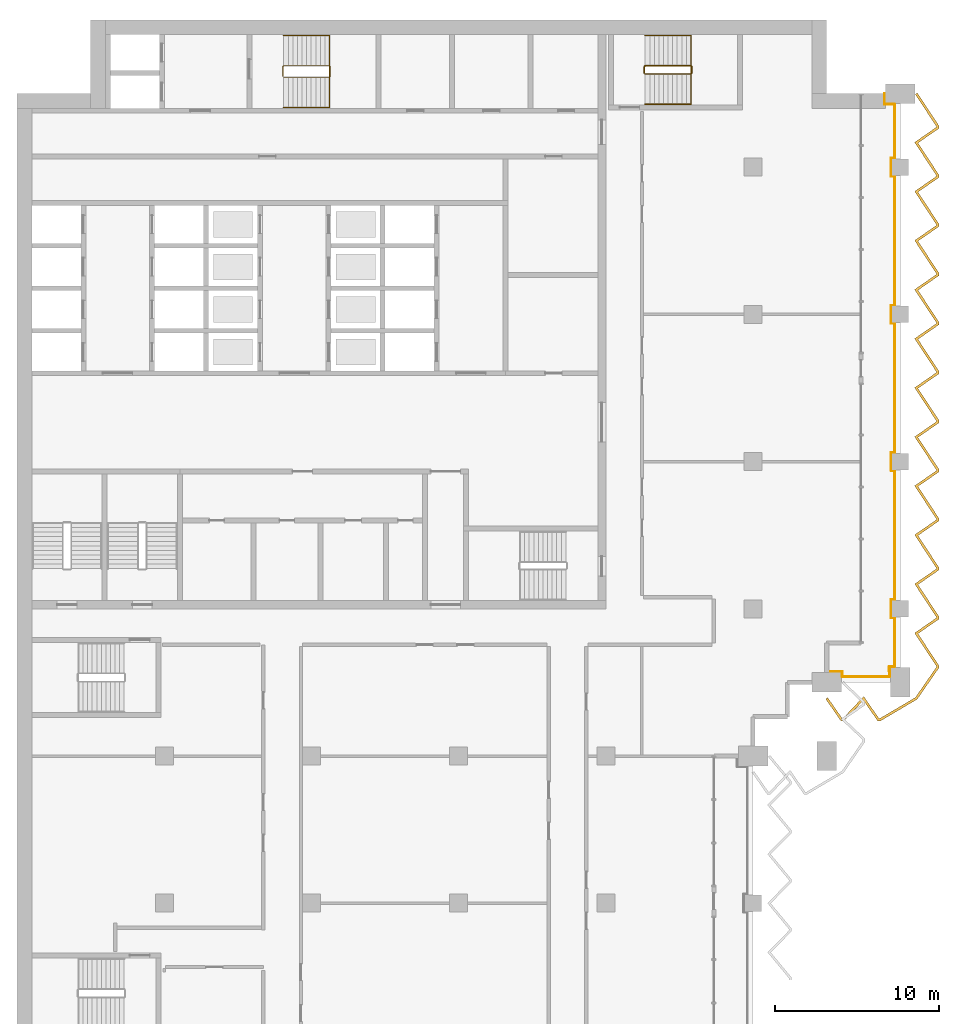
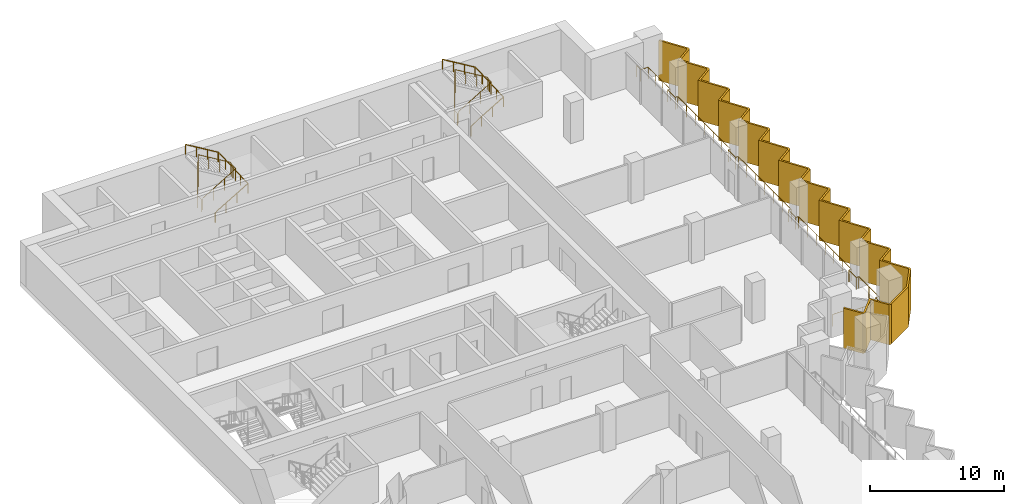
# One storey, part 17 of 18: 5 railings, 1 shading device.
"""IFC4 building model written with IfcOpenShell, lengths in metres."""

import ifcopenshell
import ifcopenshell.guid

model = None  # the IFC model being written
_history = None  # IfcOwnerHistory: only IFC2X3 demands one
_inside = {}  # id of a spatial element -> (the spatial element, [elements in it])
_under = {}  # id of a project, library or spatial element -> (it, [spatial elements below it])
_declared = {}  # id of a project -> (the project, [libraries it declares])
_typed = {}  # id of a type object -> (the type object, [elements of that type])
_made_of = {}  # id of a material, layer set ... -> (it, [elements and type objects made of it])


def new_model(schema):
    """Start an empty IFC model of exactly this schema.

    Asked for "IFC4X3", IfcOpenShell would pick the latest addendum, in which some entities
    have other attributes; the version numbers below select the first issue.
    IFC2X3 requires an IfcOwnerHistory on every rooted entity: one is made here for all.
    """
    global model, _history
    if schema == "IFC4X3":
        model = ifcopenshell.file(schema_version=(4, 3, 0, 0))
    else:
        model = ifcopenshell.file(schema=schema)
    _inside.clear()
    _under.clear()
    _declared.clear()
    _typed.clear()
    _made_of.clear()
    _history = None
    if model.schema == "IFC2X3":
        org = make("IfcOrganization", Name="unknown")
        user = make(
            "IfcPersonAndOrganization",
            ThePerson=make("IfcPerson", FamilyName="unknown"),
            TheOrganization=org,
        )
        app = make(
            "IfcApplication",
            ApplicationDeveloper=org,
            Version="unknown",
            ApplicationFullName="unknown",
            ApplicationIdentifier="unknown",
        )
        _history = make(
            "IfcOwnerHistory",
            OwningUser=user,
            OwningApplication=app,
            ChangeAction="ADDED",
            CreationDate=0,
        )
    return model


def make(cls, **values):
    """One entity of the class cls with the attributes given. An attribute that is None is left unset."""
    return model.create_entity(
        cls, **{name: value for name, value in values.items() if value is not None}
    )


def rooted(cls, **values):
    """An entity with a GlobalId (a new one), such as an element, a storey or a relation."""
    return make(cls, GlobalId=ifcopenshell.guid.new(), OwnerHistory=_history, **values)


def si_unit(unit_type, name, prefix=None):
    """IfcSIUnit, for example si_unit("LENGTHUNIT", "METRE", prefix="MILLI")."""
    return make("IfcSIUnit", UnitType=unit_type, Prefix=prefix, Name=name)


def assignment(units):
    """IfcUnitAssignment: the units of a project."""
    return None if units is None else make("IfcUnitAssignment", Units=units)


def point(xyz):
    """IfcCartesianPoint."""
    return None if xyz is None else make("IfcCartesianPoint", Coordinates=xyz)


def direction(xyz):
    """IfcDirection."""
    return None if xyz is None else make("IfcDirection", DirectionRatios=xyz)


def frame(location, z_axis=None, x_axis=None):
    """IfcAxis2Placement3D, a coordinate frame: its origin and axes. An axis left out is left unset."""
    return make(
        "IfcAxis2Placement3D",
        Location=point(location),
        Axis=direction(z_axis),
        RefDirection=direction(x_axis),
    )


def frame_2d(location, x_axis=None):
    """IfcAxis2Placement2D, a coordinate frame in the plane: its origin and x axis."""
    return make(
        "IfcAxis2Placement2D", Location=point(location), RefDirection=direction(x_axis)
    )


def origin():
    """The frame at (0, 0, 0) with its axes left unset."""
    return frame((0.0, 0.0, 0.0))


def origin_2d():
    """The frame at (0, 0) in the plane with its x axis left unset."""
    return frame_2d((0.0, 0.0))


def place(relative_to, where):
    """IfcLocalPlacement: puts the frame where relative to a parent placement (None: the world)."""
    return make(
        "IfcLocalPlacement", PlacementRelTo=relative_to, RelativePlacement=where
    )


def context(
    kind, dimensions, precision=None, world=None, true_north=None, identifier=None
):
    """IfcGeometricRepresentationContext, for example the 3D "Model" context."""
    return make(
        "IfcGeometricRepresentationContext",
        ContextIdentifier=identifier,
        ContextType=kind,
        CoordinateSpaceDimension=dimensions,
        Precision=precision,
        WorldCoordinateSystem=world,
        TrueNorth=true_north,
    )


def subcontext(parent, identifier, kind, view, scale=None):
    """IfcGeometricRepresentationSubContext, for example "Body" below "Model"."""
    return make(
        "IfcGeometricRepresentationSubContext",
        ContextIdentifier=identifier,
        ContextType=kind,
        ParentContext=parent,
        TargetScale=scale,
        TargetView=view,
    )


def project(units=None, contexts=None):
    """IfcProject with its units and contexts."""
    return rooted(
        "IfcProject",
        Name="project",
        RepresentationContexts=contexts,
        UnitsInContext=assignment(units),
    )


def spatial(cls, under=None, at=None, **own):
    """A site, building, storey or space (cls), placed at a placement, below another one or the project."""
    s = rooted(cls, ObjectPlacement=at, **own)
    if under is not None:
        _under.setdefault(under.id(), (under, []))[1].append(s)
    return s


def polyline(points):
    """IfcPolyline through the points."""
    return make("IfcPolyline", Points=[point(p) for p in points])


def profile(cls, at=None, kind="AREA", **sizes):
    """A parametric profile (cls). Its sizes go by their IFC names, for example OverallWidth=200.0."""
    return make(cls, ProfileType=kind, Position=at, **sizes)


def circle(**sizes):
    """IfcCircleProfileDef."""
    return profile("IfcCircleProfileDef", **sizes)


def outline(outer, holes=None, kind="AREA"):
    """IfcArbitraryClosedProfileDef: a profile drawn as a closed curve; with holes, ...WithVoids."""
    if holes is None:
        return make("IfcArbitraryClosedProfileDef", ProfileType=kind, OuterCurve=outer)
    return make(
        "IfcArbitraryProfileDefWithVoids",
        ProfileType=kind,
        OuterCurve=outer,
        InnerCurves=holes,
    )


def extrude(swept, where, along, depth):
    """IfcExtrudedAreaSolid: the profile swept, set in the frame where, extruded along a direction by depth."""
    return make(
        "IfcExtrudedAreaSolid",
        SweptArea=swept,
        Position=where,
        ExtrudedDirection=direction(along),
        Depth=depth,
    )


def shape(context_of_items, identifier, shape_type, items):
    """IfcShapeRepresentation: the items that make up one representation, for example the "Body"."""
    return make(
        "IfcShapeRepresentation",
        ContextOfItems=context_of_items,
        RepresentationIdentifier=identifier,
        RepresentationType=shape_type,
        Items=items,
    )


def material(Name=None, Category=None):
    """IfcMaterial."""
    return make("IfcMaterial", Name=Name, Category=Category)


def layer(
    of_material, thickness, ventilated=None, Name=None, Category=None, Priority=None
):
    """IfcMaterialLayer: one layer of a wall or slab, of a material (None: an air gap)."""
    return make(
        "IfcMaterialLayer",
        Material=of_material,
        LayerThickness=thickness,
        IsVentilated=ventilated,
        Name=Name,
        Category=Category,
        Priority=Priority,
    )


def layer_set(layers, Name=None):
    """IfcMaterialLayerSet."""
    return make("IfcMaterialLayerSet", MaterialLayers=layers, LayerSetName=Name)


def made_of(thing, what):
    """Note that an element or type object is made of a material, layer set ...; save() writes the relation."""
    if what is not None:
        _made_of.setdefault(what.id(), (what, []))[1].append(thing)
    return thing


def type_object(cls, material=None, **own):
    """A type object (cls), such as IfcWallType, which elements share."""
    return made_of(rooted(cls, **own), material)


def element(
    cls,
    number,
    at=None,
    inside=None,
    cuts=None,
    type_object=None,
    material=None,
    context=None,
    identifier="Body",
    shape_type=None,
    held_by="IfcProductDefinitionShape",
    body=None,
    shapes=None,
    **own,
):
    """One element of the class cls, such as IfcWall. Its Tag is "e" and its number.

    at: its placement. inside: the storey or other place that contains it. cuts: it is an
    opening in that element (IfcRelVoidsElement). A single representation is given by context,
    identifier, shape_type and body (its items); several are given by shapes. held_by: the class
    of the entity that holds the representations. save() writes the other relations.
    """
    e = rooted(cls, Tag="e%d" % number, ObjectPlacement=at, **own)
    if body is not None:
        shapes = [shape(context, identifier, shape_type, body)]
    if shapes is not None:
        e.Representation = make(held_by, Representations=shapes)
    if inside is not None:
        _inside.setdefault(inside.id(), (inside, []))[1].append(e)
    if cuts is not None:
        rooted(
            "IfcRelVoidsElement", RelatingBuildingElement=cuts, RelatedOpeningElement=e
        )
    if type_object is not None:
        _typed.setdefault(type_object.id(), (type_object, []))[1].append(e)
    return made_of(e, material)


def aggregate(whole, parts):
    """IfcRelAggregates: a whole, such as a stair, and the parts it consists of."""
    return rooted("IfcRelAggregates", RelatingObject=whole, RelatedObjects=parts)


def save(model, path):
    """Write the relations noted so far, then the file.

    IfcRelAggregates (storeys below a building ...), IfcRelContainedInSpatialStructure (elements
    in a storey), IfcRelDefinesByType, IfcRelAssociatesMaterial and IfcRelDeclares: one each for
    every whole, place, type object, material and project.
    """
    for whole, parts in _under.values():
        aggregate(whole, parts)
    for where, things in _inside.values():
        rooted(
            "IfcRelContainedInSpatialStructure",
            RelatedElements=things,
            RelatingStructure=where,
        )
    for kind, things in _typed.values():
        rooted("IfcRelDefinesByType", RelatedObjects=things, RelatingType=kind)
    for what, things in _made_of.values():
        rooted("IfcRelAssociatesMaterial", RelatedObjects=things, RelatingMaterial=what)
    for by, libraries in _declared.values():
        rooted("IfcRelDeclares", RelatingContext=by, RelatedDefinitions=libraries)
    model.write(path)


model = new_model("IFC4")

# Units and contexts
model_context = context("Model", 3, precision=1e-05, world=origin(), true_north=direction((0.0, 1.0)))
body_context = subcontext(model_context, "Body", "Model", "MODEL_VIEW")
ifc_project = project(units=[si_unit("LENGTHUNIT", "METRE"), si_unit("AREAUNIT", "SQUARE_METRE"), si_unit("VOLUMEUNIT", "CUBIC_METRE"), si_unit("PLANEANGLEUNIT", "RADIAN"), si_unit("MASSUNIT", "GRAM", prefix="KILO")], contexts=[model_context])

# Site, building, storey
site_placement = place(None, origin())
site = spatial("IfcSite", under=ifc_project, at=site_placement, CompositionType="ELEMENT")
building_placement = place(site_placement, origin())
building = spatial("IfcBuilding", under=site, at=building_placement, Name="Hunhe Ridgeline Campus", CompositionType="ELEMENT")
storey_placement = place(building_placement, frame((0.0, 0.0, 182.800048828125)))
storey = spatial("IfcBuildingStorey", under=building, at=storey_placement, Name="L46", CompositionType="ELEMENT", Elevation=182.800048828125)

# Railing
ifc_material_1 = material(Name="Steel Q355", Category="steel")
railing_type_1 = type_object("IfcRailingType", Name="Loggia guard 1100 Steel Q355", PredefinedType="GUARDRAIL", material=ifc_material_1)
railing_1_placement = place(storey_placement, frame((49.5, 59.169921875, 0.0)))
element("IfcRailing", 1, at=railing_1_placement, inside=storey, type_object=railing_type_1, Name="Loggia guard 2", PredefinedType="GUARDRAIL", context=body_context, shape_type="SweptSolid", body=[
    extrude(circle(Radius=0.02392578125, at=origin_2d()), frame((0.0, 0.0, 1.076171875), z_axis=(1.0, 0.0, 0.0), x_axis=(0.0, 1.0, 0.0)), (0.0, 0.0, 1.0), 0.949951171875),
    extrude(circle(Radius=0.02392578125, at=origin_2d()), frame((0.949951171875, 0.0, 1.076171875), z_axis=(0.0, -1.0, 0.0), x_axis=(1.0, 0.0, 0.0)), (0.0, 0.0, 1.0), 0.31982421875),
    extrude(circle(Radius=0.02392578125, at=origin_2d()), frame((0.949951171875, -0.31982421875, 1.076171875), z_axis=(1.0, 0.0, 0.0), x_axis=(0.0, 1.0, 0.0)), (0.0, 0.0, 1.0), 2.900146484375),
    extrude(circle(Radius=0.02392578125, at=origin_2d()), frame((3.85009765625, -0.31982421875, 1.076171875), z_axis=(0.0, 1.0, 0.0), x_axis=(-1.0, 0.0, 0.0)), (0.0, 0.0, 1.0), 0.619873046875),
    extrude(circle(Radius=0.02392578125, at=origin_2d()), frame((3.85009765625, 0.300048828125, 1.076171875), z_axis=(-0.066572895244, -0.99778156408, 0.0), x_axis=(0.99778156408, -0.066572895244, 0.0)), (0.0, 0.0, 1.0), 0.30078125),
    extrude(circle(Radius=0.02392578125, at=origin_2d()), frame((3.830078125, 0.0, 1.076171875), z_axis=(0.0, 1.0, 0.0), x_axis=(-1.0, 0.0, 0.0)), (0.0, 0.0, 1.0), 0.280029296875),
    extrude(circle(Radius=0.02392578125, at=origin_2d()), frame((3.830078125, 0.280029296875, 1.076171875), z_axis=(1.0, 0.0, 0.0), x_axis=(0.0, 1.0, 0.0)), (0.0, 0.0, 1.0), 0.31982421875),
    extrude(circle(Radius=0.02392578125, at=origin_2d()), frame((4.14990234375, 0.280029296875, 1.076171875), z_axis=(0.0, 1.0, 0.0), x_axis=(-1.0, 0.0, 0.0)), (0.0, 0.0, 1.0), 3.0),
    extrude(circle(Radius=0.02392578125, at=origin_2d()), frame((4.14990234375, 3.280029296875, 1.076171875), z_axis=(-1.0, 0.0, 0.0), x_axis=(0.0, -1.0, 0.0)), (0.0, 0.0, 1.0), 0.219970703125),
    extrude(circle(Radius=0.02392578125, at=origin_2d()), frame((3.929931640625, 3.280029296875, 1.076171875), z_axis=(0.0, 1.0, 0.0), x_axis=(-1.0, 0.0, 0.0)), (0.0, 0.0, 1.0), 1.10009765625),
    extrude(circle(Radius=0.02392578125, at=origin_2d()), frame((3.929931640625, 4.380126953125, 1.076171875), z_axis=(1.0, 0.0, 0.0), x_axis=(0.0, 1.0, 0.0)), (0.0, 0.0, 1.0), 0.219970703125),
    extrude(circle(Radius=0.02392578125, at=origin_2d()), frame((4.14990234375, 4.380126953125, 1.076171875), z_axis=(0.0, 1.0, 0.0), x_axis=(-1.0, 0.0, 0.0)), (0.0, 0.0, 1.0), 7.89990234375),
    extrude(circle(Radius=0.02392578125, at=origin_2d()), frame((4.14990234375, 12.280029296875, 1.076171875), z_axis=(-1.0, 0.0, 0.0), x_axis=(0.0, -1.0, 0.0)), (0.0, 0.0, 1.0), 0.219970703125),
    extrude(circle(Radius=0.02392578125, at=origin_2d()), frame((3.929931640625, 12.280029296875, 1.076171875), z_axis=(0.0, 1.0, 0.0), x_axis=(-1.0, 0.0, 0.0)), (0.0, 0.0, 1.0), 1.10009765625),
    extrude(circle(Radius=0.02392578125, at=origin_2d()), frame((3.929931640625, 13.380126953125, 1.076171875), z_axis=(1.0, 0.0, 0.0), x_axis=(0.0, 1.0, 0.0)), (0.0, 0.0, 1.0), 0.219970703125),
    extrude(circle(Radius=0.02392578125, at=origin_2d()), frame((4.14990234375, 13.380126953125, 1.076171875), z_axis=(0.0, 1.0, 0.0), x_axis=(-1.0, 0.0, 0.0)), (0.0, 0.0, 1.0), 7.89990234375),
    extrude(circle(Radius=0.02392578125, at=origin_2d()), frame((4.14990234375, 21.280029296875, 1.076171875), z_axis=(-1.0, 0.0, 0.0), x_axis=(0.0, -1.0, 0.0)), (0.0, 0.0, 1.0), 0.219970703125),
    extrude(circle(Radius=0.02392578125, at=origin_2d()), frame((3.929931640625, 21.280029296875, 1.076171875), z_axis=(0.0, 1.0, 0.0), x_axis=(-1.0, 0.0, 0.0)), (0.0, 0.0, 1.0), 1.10009765625),
    extrude(circle(Radius=0.02392578125, at=origin_2d()), frame((3.929931640625, 22.380126953125, 1.076171875), z_axis=(1.0, 0.0, 0.0), x_axis=(0.0, 1.0, 0.0)), (0.0, 0.0, 1.0), 0.219970703125),
    extrude(circle(Radius=0.02392578125, at=origin_2d()), frame((4.14990234375, 22.380126953125, 1.076171875), z_axis=(0.0, 1.0, 0.0), x_axis=(-1.0, 0.0, 0.0)), (0.0, 0.0, 1.0), 7.89990234375),
    extrude(circle(Radius=0.02392578125, at=origin_2d()), frame((4.14990234375, 30.280029296875, 1.076171875), z_axis=(-1.0, 0.0, 0.0), x_axis=(0.0, -1.0, 0.0)), (0.0, 0.0, 1.0), 0.219970703125),
    extrude(circle(Radius=0.02392578125, at=origin_2d()), frame((3.929931640625, 30.280029296875, 1.076171875), z_axis=(0.0, 1.0, 0.0), x_axis=(-1.0, 0.0, 0.0)), (0.0, 0.0, 1.0), 1.10009765625),
    extrude(circle(Radius=0.02392578125, at=origin_2d()), frame((3.929931640625, 31.380126953125, 1.076171875), z_axis=(1.0, 0.0, 0.0), x_axis=(0.0, 1.0, 0.0)), (0.0, 0.0, 1.0), 0.219970703125),
    extrude(circle(Radius=0.02392578125, at=origin_2d()), frame((4.14990234375, 31.380126953125, 1.076171875), z_axis=(0.0, 1.0, 0.0), x_axis=(-1.0, 0.0, 0.0)), (0.0, 0.0, 1.0), 3.300048828125),
    extrude(circle(Radius=0.02392578125, at=origin_2d()), frame((4.14990234375, 34.68017578125, 1.076171875), z_axis=(-1.0, 0.0, 0.0), x_axis=(0.0, -1.0, 0.0)), (0.0, 0.0, 1.0), 0.619873046875),
    extrude(circle(Radius=0.02392578125, at=origin_2d()), frame((3.530029296875, 34.68017578125, 1.076171875), z_axis=(0.0, 1.0, 0.0), x_axis=(-1.0, 0.0, 0.0)), (0.0, 0.0, 1.0), 0.64990234375),
    extrude(circle(Radius=0.02099609375, at=origin_2d()), origin(), (0.0, 0.0, 1.0), 1.052001953125),
    extrude(circle(Radius=0.02099609375, at=origin_2d()), frame((0.949951171875, 0.0, 0.0)), (0.0, 0.0, 1.0), 1.052001953125),
    extrude(circle(Radius=0.02099609375, at=origin_2d()), frame((0.949951171875, -0.31982421875, 0.0)), (0.0, 0.0, 1.0), 1.052001953125),
    extrude(circle(Radius=0.02099609375, at=origin_2d()), frame((2.39990234375, -0.31982421875, 0.0)), (0.0, 0.0, 1.0), 1.052001953125),
    extrude(circle(Radius=0.02099609375, at=origin_2d()), frame((3.85009765625, -0.31982421875, 0.0)), (0.0, 0.0, 1.0), 1.052001953125),
    extrude(circle(Radius=0.02099609375, at=origin_2d()), frame((3.85009765625, 0.300048828125, 0.0)), (0.0, 0.0, 1.0), 1.052001953125),
    extrude(circle(Radius=0.02099609375, at=origin_2d()), frame((3.830078125, 0.0, 0.0)), (0.0, 0.0, 1.0), 1.052001953125),
    extrude(circle(Radius=0.02099609375, at=origin_2d()), frame((3.830078125, 0.280029296875, 0.0)), (0.0, 0.0, 1.0), 1.052001953125),
    extrude(circle(Radius=0.02099609375, at=origin_2d()), frame((4.14990234375, 0.280029296875, 0.0)), (0.0, 0.0, 1.0), 1.052001953125),
    extrude(circle(Radius=0.02099609375, at=origin_2d()), frame((4.14990234375, 1.780029296875, 0.0)), (0.0, 0.0, 1.0), 1.052001953125),
    extrude(circle(Radius=0.02099609375, at=origin_2d()), frame((4.14990234375, 3.280029296875, 0.0)), (0.0, 0.0, 1.0), 1.052001953125),
    extrude(circle(Radius=0.02099609375, at=origin_2d()), frame((3.929931640625, 3.280029296875, 0.0)), (0.0, 0.0, 1.0), 1.052001953125),
    extrude(circle(Radius=0.02099609375, at=origin_2d()), frame((3.929931640625, 4.380126953125, 0.0)), (0.0, 0.0, 1.0), 1.052001953125),
    extrude(circle(Radius=0.02099609375, at=origin_2d()), frame((4.14990234375, 4.380126953125, 0.0)), (0.0, 0.0, 1.0), 1.052001953125),
    extrude(circle(Radius=0.02099609375, at=origin_2d()), frame((4.14990234375, 5.69677734375, 0.0)), (0.0, 0.0, 1.0), 1.052001953125),
    extrude(circle(Radius=0.02099609375, at=origin_2d()), frame((4.14990234375, 7.013427734375, 0.0)), (0.0, 0.0, 1.0), 1.052001953125),
    extrude(circle(Radius=0.02099609375, at=origin_2d()), frame((4.14990234375, 8.330078125, 0.0)), (0.0, 0.0, 1.0), 1.052001953125),
    extrude(circle(Radius=0.02099609375, at=origin_2d()), frame((4.14990234375, 9.646728515625, 0.0)), (0.0, 0.0, 1.0), 1.052001953125),
    extrude(circle(Radius=0.02099609375, at=origin_2d()), frame((4.14990234375, 10.96337890625, 0.0)), (0.0, 0.0, 1.0), 1.052001953125),
    extrude(circle(Radius=0.02099609375, at=origin_2d()), frame((4.14990234375, 12.280029296875, 0.0)), (0.0, 0.0, 1.0), 1.052001953125),
    extrude(circle(Radius=0.02099609375, at=origin_2d()), frame((3.929931640625, 12.280029296875, 0.0)), (0.0, 0.0, 1.0), 1.052001953125),
    extrude(circle(Radius=0.02099609375, at=origin_2d()), frame((3.929931640625, 13.380126953125, 0.0)), (0.0, 0.0, 1.0), 1.052001953125),
    extrude(circle(Radius=0.02099609375, at=origin_2d()), frame((4.14990234375, 13.380126953125, 0.0)), (0.0, 0.0, 1.0), 1.052001953125),
    extrude(circle(Radius=0.02099609375, at=origin_2d()), frame((4.14990234375, 14.69677734375, 0.0)), (0.0, 0.0, 1.0), 1.052001953125),
    extrude(circle(Radius=0.02099609375, at=origin_2d()), frame((4.14990234375, 16.013427734375, 0.0)), (0.0, 0.0, 1.0), 1.052001953125),
    extrude(circle(Radius=0.02099609375, at=origin_2d()), frame((4.14990234375, 17.330078125, 0.0)), (0.0, 0.0, 1.0), 1.052001953125),
    extrude(circle(Radius=0.02099609375, at=origin_2d()), frame((4.14990234375, 18.646728515625, 0.0)), (0.0, 0.0, 1.0), 1.052001953125),
    extrude(circle(Radius=0.02099609375, at=origin_2d()), frame((4.14990234375, 19.96337890625, 0.0)), (0.0, 0.0, 1.0), 1.052001953125),
    extrude(circle(Radius=0.02099609375, at=origin_2d()), frame((4.14990234375, 21.280029296875, 0.0)), (0.0, 0.0, 1.0), 1.052001953125),
    extrude(circle(Radius=0.02099609375, at=origin_2d()), frame((3.929931640625, 21.280029296875, 0.0)), (0.0, 0.0, 1.0), 1.052001953125),
    extrude(circle(Radius=0.02099609375, at=origin_2d()), frame((3.929931640625, 22.380126953125, 0.0)), (0.0, 0.0, 1.0), 1.052001953125),
    extrude(circle(Radius=0.02099609375, at=origin_2d()), frame((4.14990234375, 22.380126953125, 0.0)), (0.0, 0.0, 1.0), 1.052001953125),
    extrude(circle(Radius=0.02099609375, at=origin_2d()), frame((4.14990234375, 23.69677734375, 0.0)), (0.0, 0.0, 1.0), 1.052001953125),
    extrude(circle(Radius=0.02099609375, at=origin_2d()), frame((4.14990234375, 25.013427734375, 0.0)), (0.0, 0.0, 1.0), 1.052001953125),
    extrude(circle(Radius=0.02099609375, at=origin_2d()), frame((4.14990234375, 26.330078125, 0.0)), (0.0, 0.0, 1.0), 1.052001953125),
    extrude(circle(Radius=0.02099609375, at=origin_2d()), frame((4.14990234375, 27.646728515625, 0.0)), (0.0, 0.0, 1.0), 1.052001953125),
    extrude(circle(Radius=0.02099609375, at=origin_2d()), frame((4.14990234375, 28.96337890625, 0.0)), (0.0, 0.0, 1.0), 1.052001953125),
    extrude(circle(Radius=0.02099609375, at=origin_2d()), frame((4.14990234375, 30.280029296875, 0.0)), (0.0, 0.0, 1.0), 1.052001953125),
    extrude(circle(Radius=0.02099609375, at=origin_2d()), frame((3.929931640625, 30.280029296875, 0.0)), (0.0, 0.0, 1.0), 1.052001953125),
    extrude(circle(Radius=0.02099609375, at=origin_2d()), frame((3.929931640625, 31.380126953125, 0.0)), (0.0, 0.0, 1.0), 1.052001953125),
    extrude(circle(Radius=0.02099609375, at=origin_2d()), frame((4.14990234375, 31.380126953125, 0.0)), (0.0, 0.0, 1.0), 1.052001953125),
    extrude(circle(Radius=0.02099609375, at=origin_2d()), frame((4.14990234375, 32.480224609375, 0.0)), (0.0, 0.0, 1.0), 1.052001953125),
    extrude(circle(Radius=0.02099609375, at=origin_2d()), frame((4.14990234375, 33.580078125, 0.0)), (0.0, 0.0, 1.0), 1.052001953125),
    extrude(circle(Radius=0.02099609375, at=origin_2d()), frame((4.14990234375, 34.68017578125, 0.0)), (0.0, 0.0, 1.0), 1.052001953125),
    extrude(circle(Radius=0.02099609375, at=origin_2d()), frame((3.530029296875, 34.68017578125, 0.0)), (0.0, 0.0, 1.0), 1.052001953125),
    extrude(circle(Radius=0.02099609375, at=origin_2d()), frame((3.530029296875, 35.330078125, 0.0)), (0.0, 0.0, 1.0), 1.052001953125),
])

# Shading device
ifc_material_2 = material(Name="Concrete C50", Category="concrete")
ifc_layer = layer(ifc_material_2, 0.14990234375)
ifc_layer_set = layer_set([ifc_layer], Name="Sawtooth concrete fin 150 Concrete C50")
shading_device_type = type_object("IfcShadingDeviceType", Name="Sawtooth concrete fin 150 Concrete C50", PredefinedType="USERDEFINED", material=ifc_layer_set)
shading_device_placement = place(storey_placement, frame((0.0, 0.0, -0.949951171875)))
element("IfcShadingDevice", 2, at=shading_device_placement, inside=storey, type_object=shading_device_type, Name="Concrete fin screen 3", ObjectType="FIN", PredefinedType="USERDEFINED", context=body_context, shape_type="SweptSolid", body=[
    extrude(outline(polyline([(49.5615234375, 57.56787109375), (49.4384765625, 57.482177734375), (50.363525390625, 56.14990234375), (50.554931640625, 56.14990234375), (51.7412109375, 57.40625), (52.613525390625, 56.14990234375), (52.793212890625, 56.14990234375), (55.02734375, 57.46875), (56.35009765625, 59.379150390625), (56.35009765625, 59.545166015625), (55.077880859375, 61.47998046875), (56.35009765625, 62.363525390625), (56.35009765625, 62.545166015625), (55.077880859375, 64.47998046875), (56.35009765625, 65.363525390625), (56.35009765625, 65.545166015625), (55.077880859375, 67.47998046875), (56.35009765625, 68.363525390625), (56.35009765625, 68.545166015625), (55.077880859375, 70.47998046875), (56.35009765625, 71.363525390625), (56.35009765625, 71.545166015625), (55.077880859375, 73.47998046875), (56.35009765625, 74.363525390625), (56.35009765625, 74.545166015625), (55.077880859375, 76.47998046875), (56.35009765625, 77.363525390625), (56.35009765625, 77.545166015625), (55.077880859375, 79.47998046875), (56.35009765625, 80.363525390625), (56.35009765625, 80.545166015625), (55.077880859375, 82.47998046875), (56.35009765625, 83.363525390625), (56.35009765625, 83.545166015625), (55.077880859375, 85.47998046875), (56.35009765625, 86.363525390625), (56.35009765625, 86.545166015625), (55.077880859375, 88.47998046875), (56.35009765625, 89.363525390625), (56.35009765625, 89.545166015625), (55.077880859375, 91.47998046875), (56.35009765625, 92.363525390625), (56.35009765625, 92.545166015625), (55.03759765625, 94.541259765625), (54.912353515625, 94.458740234375), (56.199951171875, 92.500244140625), (56.199951171875, 92.44189453125), (54.8720703125, 91.52001953125), (56.199951171875, 89.500244140625), (56.199951171875, 89.44189453125), (54.8720703125, 88.52001953125), (56.199951171875, 86.500244140625), (56.199951171875, 86.44189453125), (54.8720703125, 85.52001953125), (56.199951171875, 83.500244140625), (56.199951171875, 83.44189453125), (54.8720703125, 82.52001953125), (56.199951171875, 80.500244140625), (56.199951171875, 80.44189453125), (54.8720703125, 79.52001953125), (56.199951171875, 77.500244140625), (56.199951171875, 77.44189453125), (54.8720703125, 76.52001953125), (56.199951171875, 74.500244140625), (56.199951171875, 74.44189453125), (54.8720703125, 73.52001953125), (56.199951171875, 71.500244140625), (56.199951171875, 71.44189453125), (54.8720703125, 70.52001953125), (56.199951171875, 68.500244140625), (56.199951171875, 68.44189453125), (54.8720703125, 67.52001953125), (56.199951171875, 65.500244140625), (56.199951171875, 65.44189453125), (54.8720703125, 64.52001953125), (56.199951171875, 62.500244140625), (56.199951171875, 62.44189453125), (54.8720703125, 61.52001953125), (56.199951171875, 59.500244140625), (56.199951171875, 59.426025390625), (54.922607421875, 57.581298828125), (52.752197265625, 56.300048828125), (52.69189453125, 56.300048828125), (51.7587890625, 57.643798828125), (50.490234375, 56.300048828125), (50.44189453125, 56.300048828125), (49.5615234375, 57.56787109375)])), origin(), (0.0, 0.0, 1.0), 3.64990234375),
])

# Railings
ifc_material_3 = material(Name="Stainless steel balustrade", Category="steel")
railing_type_2 = type_object("IfcRailingType", Name="Stair guard 1100 stainless", PredefinedType="GUARDRAIL", material=ifc_material_3)
railing_2_placement = place(storey_placement, frame((16.300048828125, 95.5, 0.168212890625)))
element("IfcRailing", 3, at=railing_2_placement, inside=storey, type_object=railing_type_2, Name="L46 stair S1 guard", PredefinedType="GUARDRAIL", context=body_context, shape_type="SweptSolid", body=[
    extrude(circle(Radius=0.02392578125, at=origin_2d()), frame((0.0, 0.0, 1.076171875), z_axis=(0.857275202839, 0.0, 0.514858452973), x_axis=(0.0, 1.0, 0.0)), (0.0, 0.0, 1.0), 3.26611328125),
    extrude(circle(Radius=0.02392578125, at=origin_2d()), frame((2.800048828125, 0.0, 2.7578125), z_axis=(0.705375805398, 0.708833529934, 0.0), x_axis=(-0.708833529934, 0.705375805398, 0.0)), (0.0, 0.0, 1.0), 0.070556640625),
    extrude(circle(Radius=0.02392578125, at=origin_2d()), frame((2.849853515625, 0.050048828125, 2.7578125), z_axis=(0.0, 1.0, 0.0), x_axis=(-1.0, 0.0, 0.0)), (0.0, 0.0, 1.0), 0.599853515625),
    extrude(circle(Radius=0.02392578125, at=origin_2d()), frame((2.849853515625, 0.64990234375, 2.7578125), z_axis=(-0.273006030465, 0.27434429532, 0.922064485248), x_axis=(-0.708833529934, -0.705375805398, 0.0)), (0.0, 0.0, 1.0), 0.182373046875),
    extrude(circle(Radius=0.02392578125, at=origin_2d()), frame((2.800048828125, 0.699951171875, 2.92578125), z_axis=(-0.857242210791, 0.0, 0.514913383045), x_axis=(0.0, -1.0, 0.0)), (0.0, 0.0, 1.0), 3.266357421875),
    extrude(circle(Radius=0.02392578125, at=origin_2d()), frame((0.0, 0.699951171875, 4.60791015625), z_axis=(-0.013524414389, -0.013524414389, -0.999817073484), x_axis=(0.707106781187, -0.707106781187, 0.0)), (0.0, 0.0, 1.0), 3.70068359375),
    extrude(circle(Radius=0.02392578125, at=origin_2d()), frame((-0.050048828125, 0.64990234375, 0.90771484375), z_axis=(0.0, -1.0, 0.0), x_axis=(1.0, 0.0, 0.0)), (0.0, 0.0, 1.0), 0.599853515625),
    extrude(circle(Radius=0.02099609375, at=origin_2d()), origin(), (0.0, 0.0, 1.0), 1.052001953125),
    extrude(circle(Radius=0.02099609375, at=origin_2d()), frame((0.933349609375, 0.0, 0.560546875)), (0.0, 0.0, 1.0), 1.052001953125),
    extrude(circle(Radius=0.02099609375, at=origin_2d()), frame((1.86669921875, 0.0, 1.12109375)), (0.0, 0.0, 1.0), 1.052001953125),
    extrude(circle(Radius=0.02099609375, at=origin_2d()), frame((2.800048828125, 0.0, 1.681640625)), (0.0, 0.0, 1.0), 1.052001953125),
    extrude(circle(Radius=0.02099609375, at=origin_2d()), frame((2.849853515625, 0.050048828125, 1.681640625)), (0.0, 0.0, 1.0), 1.052001953125),
    extrude(circle(Radius=0.02099609375, at=origin_2d()), frame((2.849853515625, 0.64990234375, 1.681640625)), (0.0, 0.0, 1.0), 1.052001953125),
    extrude(circle(Radius=0.02099609375, at=origin_2d()), frame((2.800048828125, 0.699951171875, 1.849853515625)), (0.0, 0.0, 1.0), 1.052001953125),
    extrude(circle(Radius=0.02099609375, at=origin_2d()), frame((1.86669921875, 0.699951171875, 2.410400390625)), (0.0, 0.0, 1.0), 1.052001953125),
    extrude(circle(Radius=0.02099609375, at=origin_2d()), frame((0.933349609375, 0.699951171875, 2.97119140625)), (0.0, 0.0, 1.0), 1.052001953125),
    extrude(circle(Radius=0.02099609375, at=origin_2d()), frame((0.0, 0.699951171875, 3.53173828125)), (0.0, 0.0, 1.0), 1.052001953125),
    extrude(circle(Radius=0.02099609375, at=origin_2d()), frame((-0.012451171875, 0.6875, 2.606689453125)), (0.0, 0.0, 1.0), 1.052001953125),
    extrude(circle(Radius=0.02099609375, at=origin_2d()), frame((-0.02490234375, 0.6748046875, 1.681640625)), (0.0, 0.0, 1.0), 1.052001953125),
    extrude(circle(Radius=0.02099609375, at=origin_2d()), frame((-0.03759765625, 0.662353515625, 0.7568359375)), (0.0, 0.0, 1.0), 1.052001953125),
    extrude(circle(Radius=0.02099609375, at=origin_2d()), frame((-0.050048828125, 0.64990234375, -0.168212890625)), (0.0, 0.0, 1.0), 1.052001953125),
    extrude(circle(Radius=0.02099609375, at=origin_2d()), frame((-0.050048828125, 0.050048828125, -0.168212890625)), (0.0, 0.0, 1.0), 1.052001953125),
])
railing_3_placement = place(storey_placement, frame((38.39990234375, 95.699951171875, 0.168212890625)))
element("IfcRailing", 4, at=railing_3_placement, inside=storey, type_object=railing_type_2, Name="L46 stair E1 guard", PredefinedType="GUARDRAIL", context=body_context, shape_type="SweptSolid", body=[
    extrude(circle(Radius=0.02392578125, at=origin_2d()), frame((0.0, 0.0, 1.076171875), z_axis=(0.857275202839, 0.0, 0.514858452973), x_axis=(0.0, 1.0, 0.0)), (0.0, 0.0, 1.0), 3.26611328125),
    extrude(circle(Radius=0.02392578125, at=origin_2d()), frame((2.800048828125, 0.0, 2.7578125), z_axis=(0.707106781187, 0.707106781187, 0.0), x_axis=(-0.707106781187, 0.707106781187, 0.0)), (0.0, 0.0, 1.0), 0.07080078125),
    extrude(circle(Radius=0.02392578125, at=origin_2d()), frame((2.85009765625, 0.050048828125, 2.7578125), z_axis=(0.0, 1.0, 0.0), x_axis=(-1.0, 0.0, 0.0)), (0.0, 0.0, 1.0), 0.39990234375),
    extrude(circle(Radius=0.02392578125, at=origin_2d()), frame((2.85009765625, 0.449951171875, 2.7578125), z_axis=(-0.274243871929, 0.274243871929, 0.92172696468), x_axis=(-0.707106781187, -0.707106781187, 0.0)), (0.0, 0.0, 1.0), 0.1826171875),
    extrude(circle(Radius=0.02392578125, at=origin_2d()), frame((2.800048828125, 0.5, 2.92578125), z_axis=(-0.857242210791, 0.0, 0.514913383045), x_axis=(0.0, -1.0, 0.0)), (0.0, 0.0, 1.0), 3.266357421875),
    extrude(circle(Radius=0.02392578125, at=origin_2d()), frame((0.0, 0.5, 4.60791015625), z_axis=(-0.013458453615, -0.013524426427, -0.999817963389), x_axis=(0.708833529934, -0.705375805398, 0.0)), (0.0, 0.0, 1.0), 3.70068359375),
    extrude(circle(Radius=0.02392578125, at=origin_2d()), frame((-0.0498046875, 0.449951171875, 0.90771484375), z_axis=(0.0, -1.0, 0.0), x_axis=(1.0, 0.0, 0.0)), (0.0, 0.0, 1.0), 0.39990234375),
    extrude(circle(Radius=0.02099609375, at=origin_2d()), origin(), (0.0, 0.0, 1.0), 1.052001953125),
    extrude(circle(Radius=0.02099609375, at=origin_2d()), frame((0.933349609375, 0.0, 0.560546875)), (0.0, 0.0, 1.0), 1.052001953125),
    extrude(circle(Radius=0.02099609375, at=origin_2d()), frame((1.86669921875, 0.0, 1.12109375)), (0.0, 0.0, 1.0), 1.052001953125),
    extrude(circle(Radius=0.02099609375, at=origin_2d()), frame((2.800048828125, 0.0, 1.681640625)), (0.0, 0.0, 1.0), 1.052001953125),
    extrude(circle(Radius=0.02099609375, at=origin_2d()), frame((2.85009765625, 0.050048828125, 1.681640625)), (0.0, 0.0, 1.0), 1.052001953125),
    extrude(circle(Radius=0.02099609375, at=origin_2d()), frame((2.85009765625, 0.449951171875, 1.681640625)), (0.0, 0.0, 1.0), 1.052001953125),
    extrude(circle(Radius=0.02099609375, at=origin_2d()), frame((2.800048828125, 0.5, 1.849853515625)), (0.0, 0.0, 1.0), 1.052001953125),
    extrude(circle(Radius=0.02099609375, at=origin_2d()), frame((1.86669921875, 0.5, 2.410400390625)), (0.0, 0.0, 1.0), 1.052001953125),
    extrude(circle(Radius=0.02099609375, at=origin_2d()), frame((0.933349609375, 0.5, 2.97119140625)), (0.0, 0.0, 1.0), 1.052001953125),
    extrude(circle(Radius=0.02099609375, at=origin_2d()), frame((0.0, 0.5, 3.53173828125)), (0.0, 0.0, 1.0), 1.052001953125),
    extrude(circle(Radius=0.02099609375, at=origin_2d()), frame((-0.012451171875, 0.487548828125, 2.606689453125)), (0.0, 0.0, 1.0), 1.052001953125),
    extrude(circle(Radius=0.02099609375, at=origin_2d()), frame((-0.02490234375, 0.47509765625, 1.681640625)), (0.0, 0.0, 1.0), 1.052001953125),
    extrude(circle(Radius=0.02099609375, at=origin_2d()), frame((-0.037353515625, 0.46240234375, 0.7568359375)), (0.0, 0.0, 1.0), 1.052001953125),
    extrude(circle(Radius=0.02099609375, at=origin_2d()), frame((-0.0498046875, 0.449951171875, -0.168212890625)), (0.0, 0.0, 1.0), 1.052001953125),
    extrude(circle(Radius=0.02099609375, at=origin_2d()), frame((-0.0498046875, 0.050048828125, -0.168212890625)), (0.0, 0.0, 1.0), 1.052001953125),
])
ifc_material_4 = material(Name="Stainless steel handrail", Category="steel")
railing_type_3 = type_object("IfcRailingType", Name="Stair handrail 900 stainless", PredefinedType="HANDRAIL", material=ifc_material_4)
railing_4_placement = place(storey_placement, frame((16.300048828125, 93.64990234375, 0.168212890625)))
element("IfcRailing", 5, at=railing_4_placement, inside=storey, type_object=railing_type_3, Name="L46 stair S1 handrail", PredefinedType="HANDRAIL", context=body_context, shape_type="SweptSolid", body=[
    extrude(circle(Radius=0.02392578125, at=origin_2d()), frame((0.0, 0.0, 0.8759765625), z_axis=(0.857275202839, 0.0, 0.514858452973), x_axis=(0.0, 1.0, 0.0)), (0.0, 0.0, 1.0), 3.26611328125),
    extrude(circle(Radius=0.02392578125, at=origin_2d()), frame((2.800048828125, 0.0, 2.5576171875), z_axis=(0.0, 0.999270074432, 0.038201025428), x_axis=(-1.0, 0.0, 0.0)), (0.0, 0.0, 1.0), 4.4033203125),
    extrude(circle(Radius=0.02392578125, at=origin_2d()), frame((2.800048828125, 4.400146484375, 2.7255859375), z_axis=(-0.857242210791, 0.0, 0.514913383045), x_axis=(0.0, -1.0, 0.0)), (0.0, 0.0, 1.0), 3.266357421875),
    extrude(circle(Radius=0.02099609375, at=origin_2d()), origin(), (0.0, 0.0, 1.0), 0.851806640625),
    extrude(circle(Radius=0.02099609375, at=origin_2d()), frame((0.933349609375, 0.0, 0.560546875)), (0.0, 0.0, 1.0), 0.851806640625),
    extrude(circle(Radius=0.02099609375, at=origin_2d()), frame((1.86669921875, 0.0, 1.12109375)), (0.0, 0.0, 1.0), 0.851806640625),
    extrude(circle(Radius=0.02099609375, at=origin_2d()), frame((2.800048828125, 0.0, 1.681640625)), (0.0, 0.0, 1.0), 0.851806640625),
    extrude(circle(Radius=0.02099609375, at=origin_2d()), frame((2.800048828125, 1.10009765625, 1.7236328125)), (0.0, 0.0, 1.0), 0.851806640625),
    extrude(circle(Radius=0.02099609375, at=origin_2d()), frame((2.800048828125, 2.2001953125, 1.765625)), (0.0, 0.0, 1.0), 0.851806640625),
    extrude(circle(Radius=0.02099609375, at=origin_2d()), frame((2.800048828125, 3.300048828125, 1.807861328125)), (0.0, 0.0, 1.0), 0.851806640625),
    extrude(circle(Radius=0.02099609375, at=origin_2d()), frame((2.800048828125, 4.400146484375, 1.849853515625)), (0.0, 0.0, 1.0), 0.851806640625),
    extrude(circle(Radius=0.02099609375, at=origin_2d()), frame((1.86669921875, 4.400146484375, 2.410400390625)), (0.0, 0.0, 1.0), 0.851806640625),
    extrude(circle(Radius=0.02099609375, at=origin_2d()), frame((0.933349609375, 4.400146484375, 2.97119140625)), (0.0, 0.0, 1.0), 0.851806640625),
    extrude(circle(Radius=0.02099609375, at=origin_2d()), frame((0.0, 4.400146484375, 3.53173828125)), (0.0, 0.0, 1.0), 0.851806640625),
])
railing_5_placement = place(storey_placement, frame((38.39990234375, 93.85009765625, 0.168212890625)))
element("IfcRailing", 6, at=railing_5_placement, inside=storey, type_object=railing_type_3, Name="L46 stair E1 handrail", PredefinedType="HANDRAIL", context=body_context, shape_type="SweptSolid", body=[
    extrude(circle(Radius=0.02392578125, at=origin_2d()), frame((0.0, 0.0, 0.8759765625), z_axis=(0.857275202839, 0.0, 0.514858452973), x_axis=(0.0, 1.0, 0.0)), (0.0, 0.0, 1.0), 3.26611328125),
    extrude(circle(Radius=0.02392578125, at=origin_2d()), frame((2.800048828125, 0.0, 2.5576171875), z_axis=(0.0, 0.999198916169, 0.040019069537), x_axis=(-1.0, 0.0, 0.0)), (0.0, 0.0, 1.0), 4.203369140625),
    extrude(circle(Radius=0.02392578125, at=origin_2d()), frame((2.800048828125, 4.199951171875, 2.7255859375), z_axis=(-0.857242210791, 0.0, 0.514913383045), x_axis=(0.0, -1.0, 0.0)), (0.0, 0.0, 1.0), 3.266357421875),
    extrude(circle(Radius=0.02099609375, at=origin_2d()), origin(), (0.0, 0.0, 1.0), 0.851806640625),
    extrude(circle(Radius=0.02099609375, at=origin_2d()), frame((0.933349609375, 0.0, 0.560546875)), (0.0, 0.0, 1.0), 0.851806640625),
    extrude(circle(Radius=0.02099609375, at=origin_2d()), frame((1.86669921875, 0.0, 1.12109375)), (0.0, 0.0, 1.0), 0.851806640625),
    extrude(circle(Radius=0.02099609375, at=origin_2d()), frame((2.800048828125, 0.0, 1.681640625)), (0.0, 0.0, 1.0), 0.851806640625),
    extrude(circle(Radius=0.02099609375, at=origin_2d()), frame((2.800048828125, 1.050048828125, 1.7236328125)), (0.0, 0.0, 1.0), 0.851806640625),
    extrude(circle(Radius=0.02099609375, at=origin_2d()), frame((2.800048828125, 2.10009765625, 1.765625)), (0.0, 0.0, 1.0), 0.851806640625),
    extrude(circle(Radius=0.02099609375, at=origin_2d()), frame((2.800048828125, 3.14990234375, 1.807861328125)), (0.0, 0.0, 1.0), 0.851806640625),
    extrude(circle(Radius=0.02099609375, at=origin_2d()), frame((2.800048828125, 4.199951171875, 1.849853515625)), (0.0, 0.0, 1.0), 0.851806640625),
    extrude(circle(Radius=0.02099609375, at=origin_2d()), frame((1.86669921875, 4.199951171875, 2.410400390625)), (0.0, 0.0, 1.0), 0.851806640625),
    extrude(circle(Radius=0.02099609375, at=origin_2d()), frame((0.933349609375, 4.199951171875, 2.97119140625)), (0.0, 0.0, 1.0), 0.851806640625),
    extrude(circle(Radius=0.02099609375, at=origin_2d()), frame((0.0, 4.199951171875, 3.53173828125)), (0.0, 0.0, 1.0), 0.851806640625),
])

save(model, "model.ifc")
